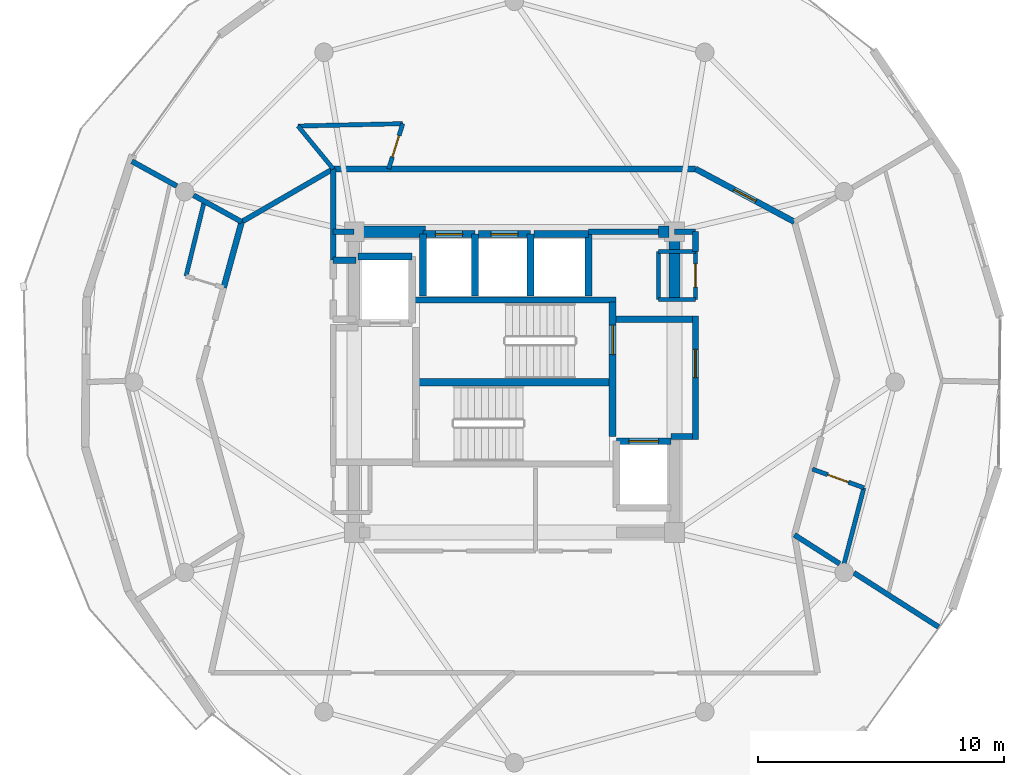
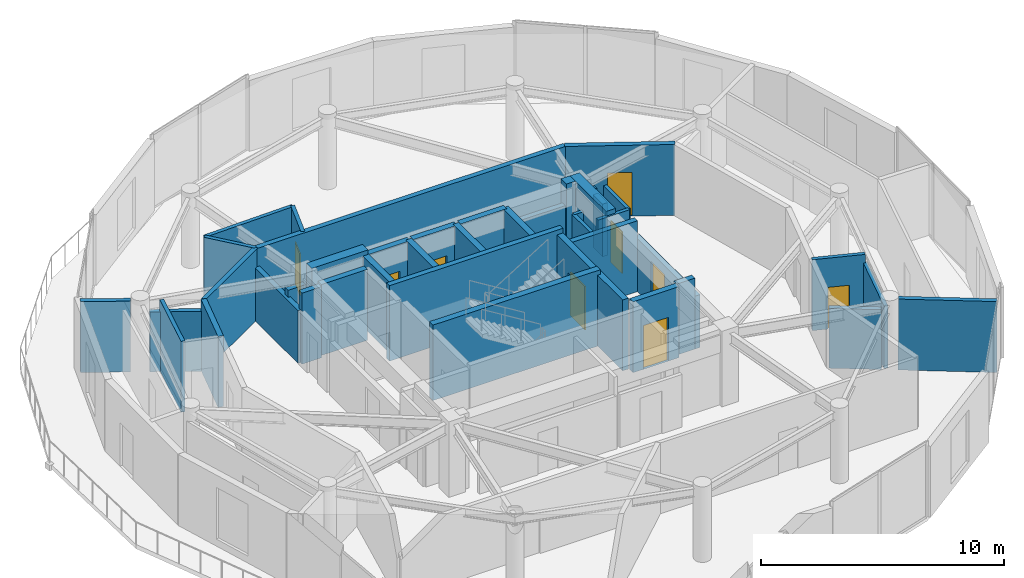
# One storey, part 16 of 19: 42 walls, 9 doors, 9 openings.
"""IFC4 building model written with IfcOpenShell, lengths in metres."""

from ifc_helpers import new_model, si_unit, direction, frame, frame_2d, origin, place, context, subcontext, project, spatial, rectangle, extrude, material, layer, layer_set, type_object, element, fill, save


model = new_model("IFC4")

# Units and contexts
model_context = context("Model", 3, precision=1e-05, world=origin(), true_north=direction((0.0, 1.0)))
body_context = subcontext(model_context, "Body", "Model", "MODEL_VIEW")
ifc_project = project(units=[si_unit("LENGTHUNIT", "METRE"), si_unit("AREAUNIT", "SQUARE_METRE"), si_unit("VOLUMEUNIT", "CUBIC_METRE"), si_unit("PLANEANGLEUNIT", "RADIAN"), si_unit("MASSUNIT", "GRAM", prefix="KILO")], contexts=[model_context])

# Site, building, storey
site_placement = place(None, origin())
site = spatial("IfcSite", under=ifc_project, at=site_placement, CompositionType="ELEMENT")
building_placement = place(site_placement, origin())
building = spatial("IfcBuilding", under=site, at=building_placement, Name="Solvirekh Grand Hotel", CompositionType="ELEMENT")
storey_placement = place(building_placement, frame((0.0, 0.0, 254.39990234375)))
storey = spatial("IfcBuildingStorey", under=building, at=storey_placement, Name="L66", CompositionType="ELEMENT", Elevation=254.39990234375)

# Wall
ifc_material_1 = material(Name="Concrete C50/60", Category="concrete")
ifc_layer_1 = layer(ifc_material_1, 0.35009765625)
ifc_layer_set_1 = layer_set([ifc_layer_1], Name="Concrete C50/60")
wall_type_1 = type_object("IfcWallType", Name="CoreDivWall_RC350", PredefinedType="SOLIDWALL", material=ifc_layer_set_1)
wall_1_placement = place(storey_placement, frame((-4.1298828125, 3.324951171875, 0.0), z_axis=(0.0, 0.0, 1.0), x_axis=(1.0, 0.0, 0.0)))
element("IfcWall", 1, at=wall_1_placement, inside=storey, type_object=wall_type_1, Name="L66 core stair box wall ST-N", PredefinedType="SOLIDWALL", context=body_context, shape_type="SweptSolid", body=[
    extrude(rectangle(XDim=8.259765625, YDim=0.25, at=frame_2d((4.1298828125, 0.0))), origin(), (0.0, 0.0, 1.0), 3.800048828125),
])

# Wall, opening, door
ifc_material_2 = material(Name="Concrete C40/50", Category="concrete")
ifc_layer_2 = layer(ifc_material_2, 0.280029296875)
ifc_layer_set_2 = layer_set([ifc_layer_2], Name="Concrete C40/50")
wall_type_2 = type_object("IfcWallType", Name="CoreShaftWall_RC280", PredefinedType="SOLIDWALL", material=ifc_layer_set_2)
wall_2_placement = place(storey_placement, frame((-1.60009765625, 6.0, 0.0), z_axis=(0.0, 0.0, 1.0), x_axis=(-1.0, 0.0, 0.0)))
wall_2 = element("IfcWall", 2, at=wall_2_placement, inside=storey, type_object=wall_type_2, Name="L66 HP-1 hoistway N wall", PredefinedType="SOLIDWALL", context=body_context, shape_type="SweptSolid", body=[
    extrude(rectangle(XDim=2.099853515625, YDim=0.280029296875, at=frame_2d((1.0498046875, 0.0))), origin(), (0.0, 0.0, 1.0), 3.570068359375),
])
opening_1_placement = place(wall_2_placement, frame((0.5, 0.0, 0.0)))
opening_1 = element("IfcOpeningElement", 3, at=opening_1_placement, cuts=wall_2, Name="Opening LD01", PredefinedType="OPENING", context=body_context, shape_type="SweptSolid", body=[
    extrude(rectangle(XDim=1.10009765625, YDim=2.199951171875, at=frame_2d((0.550048828125, 1.10009765625))), frame((0.0, 0.14990234375, 0.0), z_axis=(0.0, -1.0, 0.0), x_axis=(1.0, 0.0, 0.0)), (0.0, 0.0, 1.0), 0.300048828125),
])
ifc_material_3 = material(Name="Fire-Rated Steel Door Assembly", Category="steel")
door_type_1 = type_object("IfcDoorType", Name="Door_LiftLanding_1100X2200", OperationType="SLIDING_TO_LEFT", PredefinedType="DOOR", material=ifc_material_3)
door_1_placement = place(opening_1_placement, origin())
door_1 = element("IfcDoor", 4, at=door_1_placement, inside=storey, type_object=door_type_1, Name="L66 HP-1 sliding lift landing door", OperationType="SLIDING_TO_LEFT", OverallHeight=2.199951171875, OverallWidth=1.10009765625, PredefinedType="DOOR", context=body_context, shape_type="SweptSolid", body=[
    extrude(rectangle(XDim=1.10009765625, YDim=2.199951171875, at=frame_2d((0.550048828125, 1.10009765625))), frame((0.0, 0.02490234375, 0.0), z_axis=(0.0, -1.0, 0.0), x_axis=(1.0, 0.0, 0.0)), (0.0, 0.0, 1.0), 0.050048828125),
])
fill(opening_1, door_1)

# Walls
for number, where, z_axis, x_axis, name in (
    (5, (-3.699951171875, 6.0, 0.0), (0.0, 0.0, 1.0), (0.0, -1.0, 0.0), "L66 HP-1 hoistway W wall"),
    (6, (-1.60009765625, 3.5, 0.0), (0.0, 0.0, 1.0), (0.0, 1.0, 0.0), "L66 HP-1 hoistway E wall"),
):
    element("IfcWall", number, at=place(storey_placement, frame(where, z_axis=z_axis, x_axis=x_axis)), inside=storey, type_object=wall_type_2, Name=name, PredefinedType="SOLIDWALL", context=body_context, shape_type="SweptSolid", body=[
        extrude(rectangle(XDim=2.5, YDim=0.280029296875, at=frame_2d((1.25, 0.0))), origin(), (0.0, 0.0, 1.0), 3.570068359375),
    ])

# Wall, opening, door
wall_3_placement = place(storey_placement, frame((0.64990234375, 6.0, 0.0), z_axis=(0.0, 0.0, 1.0), x_axis=(-1.0, 0.0, 0.0)))
wall_3 = element("IfcWall", 7, at=wall_3_placement, inside=storey, type_object=wall_type_2, Name="L66 HP-2 hoistway N wall", PredefinedType="SOLIDWALL", context=body_context, shape_type="SweptSolid", body=[
    extrude(rectangle(XDim=2.099853515625, YDim=0.280029296875, at=frame_2d((1.0498046875, 0.0))), origin(), (0.0, 0.0, 1.0), 3.570068359375),
])
opening_2_placement = place(wall_3_placement, frame((0.5, 0.0, 0.0)))
opening_2 = element("IfcOpeningElement", 8, at=opening_2_placement, cuts=wall_3, Name="Opening LD01", PredefinedType="OPENING", context=body_context, shape_type="SweptSolid", body=[
    extrude(rectangle(XDim=1.10009765625, YDim=2.199951171875, at=frame_2d((0.550048828125, 1.10009765625))), frame((0.0, 0.14990234375, 0.0), z_axis=(0.0, -1.0, 0.0), x_axis=(1.0, 0.0, 0.0)), (0.0, 0.0, 1.0), 0.300048828125),
])
door_2_placement = place(opening_2_placement, origin())
door_2 = element("IfcDoor", 9, at=door_2_placement, inside=storey, type_object=door_type_1, Name="L66 HP-2 sliding lift landing door", OperationType="SLIDING_TO_LEFT", OverallHeight=2.199951171875, OverallWidth=1.10009765625, PredefinedType="DOOR", context=body_context, shape_type="SweptSolid", body=[
    extrude(rectangle(XDim=1.10009765625, YDim=2.199951171875, at=frame_2d((0.550048828125, 1.10009765625))), frame((0.0, 0.02490234375, 0.0), z_axis=(0.0, -1.0, 0.0), x_axis=(1.0, 0.0, 0.0)), (0.0, 0.0, 1.0), 0.050048828125),
])
fill(opening_2, door_2)

# Walls
wall_4_placement = place(storey_placement, frame((0.64990234375, 3.5, 0.0), z_axis=(0.0, 0.0, 1.0), x_axis=(0.0, 1.0, 0.0)))
element("IfcWall", 10, at=wall_4_placement, inside=storey, type_object=wall_type_2, Name="L66 HP-2 hoistway E wall", PredefinedType="SOLIDWALL", context=body_context, shape_type="SweptSolid", body=[
    extrude(rectangle(XDim=2.5, YDim=0.280029296875, at=frame_2d((1.25, 0.0))), origin(), (0.0, 0.0, 1.0), 3.570068359375),
])
wall_5_placement = place(storey_placement, frame((3.0, 6.0, 0.0), z_axis=(0.0, 0.0, 1.0), x_axis=(-1.0, 0.0, 0.0)))
element("IfcWall", 11, at=wall_5_placement, inside=storey, type_object=wall_type_2, Name="L66 EX-1 hoistway N wall", PredefinedType="SOLIDWALL", context=body_context, shape_type="SweptSolid", body=[
    extrude(rectangle(XDim=2.199951171875, YDim=0.280029296875, at=frame_2d((1.10009765625, 0.0))), origin(), (0.0, 0.0, 1.0), 3.570068359375),
])
wall_6_placement = place(storey_placement, frame((3.0, 3.5, 0.0), z_axis=(0.0, 0.0, 1.0), x_axis=(0.0, 1.0, 0.0)))
element("IfcWall", 12, at=wall_6_placement, inside=storey, type_object=wall_type_2, Name="L66 EX-1 hoistway E wall", PredefinedType="SOLIDWALL", context=body_context, shape_type="SweptSolid", body=[
    extrude(rectangle(XDim=2.5, YDim=0.280029296875, at=frame_2d((1.25, 0.0))), origin(), (0.0, 0.0, 1.0), 3.570068359375),
])
wall_7_placement = place(storey_placement, frame((-4.14990234375, 5.10009765625, 0.0), z_axis=(0.0, 0.0, 1.0), x_axis=(-1.0, 0.0, 0.0)))
element("IfcWall", 13, at=wall_7_placement, inside=storey, type_object=wall_type_2, Name="L66 FL-1 hoistway N wall", PredefinedType="SOLIDWALL", context=body_context, shape_type="SweptSolid", body=[
    extrude(rectangle(XDim=2.2001953125, YDim=0.280029296875, at=frame_2d((1.10009765625, 0.0))), origin(), (0.0, 0.0, 1.0), 3.570068359375),
])

# Wall, opening, door
wall_8_placement = place(storey_placement, frame((6.35009765625, -2.39990234375, 0.0), z_axis=(0.0, 0.0, 1.0), x_axis=(-1.0, 0.0, 0.0)))
wall_8 = element("IfcWall", 14, at=wall_8_placement, inside=storey, type_object=wall_type_2, Name="L66 FL-2 hoistway N wall", PredefinedType="SOLIDWALL", context=body_context, shape_type="SweptSolid", body=[
    extrude(rectangle(XDim=2.2001953125, YDim=0.280029296875, at=frame_2d((1.10009765625, 0.0))), origin(), (0.0, 0.0, 1.0), 3.570068359375),
])
opening_3_placement = place(wall_8_placement, frame((0.5, 0.0, 0.0)))
opening_3 = element("IfcOpeningElement", 15, at=opening_3_placement, cuts=wall_8, Name="Opening LD02", PredefinedType="OPENING", context=body_context, shape_type="SweptSolid", body=[
    extrude(rectangle(XDim=1.199951171875, YDim=2.199951171875, at=frame_2d((0.60009765625, 1.10009765625))), frame((0.0, 0.14990234375, 0.0), z_axis=(0.0, -1.0, 0.0), x_axis=(1.0, 0.0, 0.0)), (0.0, 0.0, 1.0), 0.300048828125),
])
door_type_2 = type_object("IfcDoorType", Name="Door_LiftFF_1200X2200", OperationType="SLIDING_TO_LEFT", PredefinedType="DOOR", material=ifc_material_3)
door_3_placement = place(opening_3_placement, origin())
door_3 = element("IfcDoor", 16, at=door_3_placement, inside=storey, type_object=door_type_2, Name="L66 FL-2 sliding lift landing door", OperationType="SLIDING_TO_LEFT", OverallHeight=2.199951171875, OverallWidth=1.199951171875, PredefinedType="DOOR", context=body_context, shape_type="SweptSolid", body=[
    extrude(rectangle(XDim=1.199951171875, YDim=2.199951171875, at=frame_2d((0.60009765625, 1.10009765625))), frame((0.0, 0.02490234375, 0.0), z_axis=(0.0, -1.0, 0.0), x_axis=(1.0, 0.0, 0.0)), (0.0, 0.0, 1.0), 0.050048828125),
])
fill(opening_3, door_3)

wall_9_placement = place(storey_placement, frame((3.989990234375, -2.2099609375, 0.0), z_axis=(0.0, 0.0, 1.0), x_axis=(0.0, 1.0, 0.0)))
wall_9 = element("IfcWall", 17, at=wall_9_placement, inside=storey, type_object=wall_type_2, Name="L66 east stair landing enclosure wall", PredefinedType="SOLIDWALL", context=body_context, shape_type="SweptSolid", body=[
    extrude(rectangle(XDim=5.4599609375, YDim=0.280029296875, at=frame_2d((2.72998046875, 0.0))), origin(), (0.0, 0.0, 1.0), 3.570068359375),
])
opening_4_placement = place(wall_9_placement, frame((3.322998046875, 0.0, 0.0)))
opening_4 = element("IfcOpeningElement", 18, at=opening_4_placement, cuts=wall_9, Name="Opening D05", PredefinedType="OPENING", context=body_context, shape_type="SweptSolid", body=[
    extrude(rectangle(XDim=1.199951171875, YDim=2.199951171875, at=frame_2d((0.60009765625, 1.10009765625))), frame((0.0, 0.14990234375, 0.0), z_axis=(0.0, -1.0, 0.0), x_axis=(1.0, 0.0, 0.0)), (0.0, 0.0, 1.0), 0.300048828125),
])
door_type_3 = type_object("IfcDoorType", Name="Door_StairCore_1200X2200", OperationType="NOTDEFINED", PredefinedType="DOOR", material=ifc_material_3)
door_4_placement = place(opening_4_placement, origin())
door_4 = element("IfcDoor", 19, at=door_4_placement, inside=storey, type_object=door_type_3, Name="L66 exit stair ST-2 fire door", OperationType="SINGLE_SWING_RIGHT", OverallHeight=2.199951171875, OverallWidth=1.199951171875, PredefinedType="DOOR", context=body_context, shape_type="SweptSolid", body=[
    extrude(rectangle(XDim=1.199951171875, YDim=2.199951171875, at=frame_2d((0.60009765625, 1.10009765625))), frame((0.0, 0.02490234375, 0.0), z_axis=(0.0, -1.0, 0.0), x_axis=(1.0, 0.0, 0.0)), (0.0, 0.0, 1.0), 0.050048828125),
])
fill(opening_4, door_4)

# Walls
ifc_layer_3 = layer(ifc_material_1, 0.449951171875)
ifc_layer_set_3 = layer_set([ifc_layer_3], Name="Concrete C50/60")
wall_type_3 = type_object("IfcWallType", Name="CoreWall_RC450", PredefinedType="SHEAR", material=ifc_layer_set_3)
wall_10_placement = place(storey_placement, frame((-3.989990234375, 0.0, 0.0), z_axis=(0.0, 0.0, 1.0), x_axis=(1.0, 0.0, 0.0)))
element("IfcWall", 20, at=wall_10_placement, inside=storey, type_object=wall_type_3, Name="L66 central stair-spine shear wall", PredefinedType="SHEAR", context=body_context, shape_type="SweptSolid", body=[
    extrude(rectangle(XDim=7.97998046875, YDim=0.300048828125, at=frame_2d((3.989990234375, 0.0))), origin(), (0.0, 0.0, 1.0), 3.800048828125),
])
wall_11_placement = place(storey_placement, frame((-6.27490234375, 6.10009765625, 0.0), z_axis=(0.0, 0.0, 1.0), x_axis=(1.0, 0.0, 0.0)))
element("IfcWall", 21, at=wall_11_placement, inside=storey, type_object=wall_type_3, Name="L66 core corner shear wall NW-N", PredefinedType="SHEAR", context=body_context, shape_type="SweptSolid", body=[
    extrude(rectangle(XDim=2.6748046875, YDim=0.449951171875, at=frame_2d((1.33740234375, 0.0))), origin(), (0.0, 0.0, 1.0), 3.800048828125),
])
wall_12_placement = place(storey_placement, frame((5.85009765625, 6.10009765625, 0.0), z_axis=(0.0, 0.0, 1.0), x_axis=(1.0, 0.0, 0.0)))
element("IfcWall", 22, at=wall_12_placement, inside=storey, type_object=wall_type_3, Name="L66 core corner shear wall NE-N", PredefinedType="SHEAR", context=body_context, shape_type="SweptSolid", body=[
    extrude(rectangle(XDim=0.4248046875, YDim=0.449951171875, at=frame_2d((0.21240234375, 0.0))), origin(), (0.0, 0.0, 1.0), 3.800048828125),
])
wall_13_placement = place(storey_placement, frame((6.5, 3.35009765625, 0.0), z_axis=(0.0, 0.0, 1.0), x_axis=(0.0, 1.0, 0.0)))
element("IfcWall", 23, at=wall_13_placement, inside=storey, type_object=wall_type_3, Name="L66 core corner shear wall EN-E", PredefinedType="SHEAR", context=body_context, shape_type="SweptSolid", body=[
    extrude(rectangle(XDim=2.974853515625, YDim=0.449951171875, at=frame_2d((1.4873046875, 0.0))), origin(), (0.0, 0.0, 1.0), 3.800048828125),
])
ifc_material_4 = material(Name="Acoustic Gypsum Partition Assembly")
ifc_layer_4 = layer(ifc_material_4, 0.1650390625)
ifc_layer_set_4 = layer_set([ifc_layer_4], Name="Acoustic Gypsum Partition Assembly")
wall_type_4 = type_object("IfcWallType", Name="Part_BOH_165", PredefinedType="PARTITIONING", material=ifc_layer_set_4)
wall_14_placement = place(storey_placement, frame((5.85009765625, 3.35009765625, 0.0), z_axis=(0.0, 0.0, 1.0), x_axis=(1.0, 0.0, 0.0)))
element("IfcWall", 24, at=wall_14_placement, inside=storey, type_object=wall_type_4, Name="L66 L66 Core Housekeeping Room wall 1", PredefinedType="PARTITIONING", context=body_context, shape_type="SweptSolid", body=[
    extrude(rectangle(XDim=1.5, YDim=0.1650390625, at=frame_2d((0.75, 0.0))), origin(), (0.0, 0.0, 1.0), 3.570068359375),
])

# Wall, opening, door
wall_15_placement = place(storey_placement, frame((7.35009765625, 3.35009765625, 0.0), z_axis=(0.0, 0.0, 1.0), x_axis=(0.0, 1.0, 0.0)))
wall_15 = element("IfcWall", 25, at=wall_15_placement, inside=storey, type_object=wall_type_4, Name="L66 L66 Core Housekeeping Room wall 2", PredefinedType="PARTITIONING", context=body_context, shape_type="SweptSolid", body=[
    extrude(rectangle(XDim=1.949951171875, YDim=0.1650390625, at=frame_2d((0.97509765625, 0.0))), origin(), (0.0, 0.0, 1.0), 3.570068359375),
])
opening_5_placement = place(wall_15_placement, frame((0.5, 0.0, 0.0)))
opening_5 = element("IfcOpeningElement", 26, at=opening_5_placement, cuts=wall_15, Name="Opening D10", PredefinedType="OPENING", context=body_context, shape_type="SweptSolid", body=[
    extrude(rectangle(XDim=0.949951171875, YDim=2.10009765625, at=frame_2d((0.47509765625, 1.050048828125))), frame((0.0, 0.092529296875, 0.0), z_axis=(0.0, -1.0, 0.0), x_axis=(1.0, 0.0, 0.0)), (0.0, 0.0, 1.0), 0.18505859375),
])
ifc_material_5 = material(Name="Anodized Bronze Aluminium 6063-T6", Category="aluminium")
door_type_4 = type_object("IfcDoorType", Name="Door_RoomInt_950X2100", OperationType="NOTDEFINED", PredefinedType="DOOR", material=ifc_material_5)
door_5_placement = place(opening_5_placement, origin())
door_5 = element("IfcDoor", 27, at=door_5_placement, inside=storey, type_object=door_type_4, Name="L66 L66 Core Housekeeping Room door", OperationType="SINGLE_SWING_LEFT", OverallHeight=2.10009765625, OverallWidth=0.949951171875, PredefinedType="DOOR", context=body_context, shape_type="SweptSolid", body=[
    extrude(rectangle(XDim=0.949951171875, YDim=2.10009765625, at=frame_2d((0.47509765625, 1.050048828125))), frame((0.0, 0.02490234375, 0.0), z_axis=(0.0, -1.0, 0.0), x_axis=(1.0, 0.0, 0.0)), (0.0, 0.0, 1.0), 0.050048828125),
])
fill(opening_5, door_5)

# Walls
wall_16_placement = place(storey_placement, frame((7.35009765625, 5.300048828125, 0.0), z_axis=(0.0, 0.0, 1.0), x_axis=(-1.0, 0.0, 0.0)))
element("IfcWall", 28, at=wall_16_placement, inside=storey, type_object=wall_type_4, Name="L66 L66 Core Housekeeping Room wall 3", PredefinedType="PARTITIONING", context=body_context, shape_type="SweptSolid", body=[
    extrude(rectangle(XDim=1.5, YDim=0.1650390625, at=frame_2d((0.75, 0.0))), origin(), (0.0, 0.0, 1.0), 2.655029296875),
])
wall_17_placement = place(storey_placement, frame((5.85009765625, 5.300048828125, 0.0), z_axis=(0.0, 0.0, 1.0), x_axis=(0.0, -1.0, 0.0)))
element("IfcWall", 29, at=wall_17_placement, inside=storey, type_object=wall_type_4, Name="L66 L66 Core Housekeeping Room wall 4", PredefinedType="PARTITIONING", context=body_context, shape_type="SweptSolid", body=[
    extrude(rectangle(XDim=1.949951171875, YDim=0.1650390625, at=frame_2d((0.97509765625, 0.0))), origin(), (0.0, 0.0, 1.0), 2.655029296875),
])

# Wall, opening, door
ifc_layer_5 = layer(ifc_material_4, 0.239990234375)
ifc_layer_set_5 = layer_set([ifc_layer_5], Name="Acoustic Gypsum Partition Assembly")
wall_type_5 = type_object("IfcWallType", Name="Part_Corridor_240", PredefinedType="PARTITIONING", material=ifc_layer_set_5)
wall_18_placement = place(storey_placement, frame((7.35009765625, -2.340087890625, 0.0), z_axis=(0.0, 0.0, 1.0), x_axis=(0.0, 1.0, 0.0)))
wall_18 = element("IfcWall", 30, at=wall_18_placement, inside=storey, type_object=wall_type_5, Name="L66 east firefighting lobby smoke screen wall", PredefinedType="PARTITIONING", context=body_context, shape_type="SweptSolid", body=[
    extrude(rectangle(XDim=5.02001953125, YDim=0.239990234375, at=frame_2d((2.510009765625, 0.0))), origin(), (0.0, 0.0, 1.0), 2.655029296875),
])
opening_6_placement = place(wall_18_placement, frame((2.514892578125, 0.0, 0.0)))
opening_6 = element("IfcOpeningElement", 31, at=opening_6_placement, cuts=wall_18, Name="Opening D06", PredefinedType="OPENING", context=body_context, shape_type="SweptSolid", body=[
    extrude(rectangle(XDim=1.14990234375, YDim=2.199951171875, at=frame_2d((0.574951171875, 1.10009765625))), frame((0.0, 0.1298828125, 0.0), z_axis=(0.0, -1.0, 0.0), x_axis=(1.0, 0.0, 0.0)), (0.0, 0.0, 1.0), 0.260009765625),
])
door_type_5 = type_object("IfcDoorType", Name="Door_FFLobby_1150X2200", OperationType="NOTDEFINED", PredefinedType="DOOR", material=ifc_material_3)
door_6_placement = place(opening_6_placement, origin())
door_6 = element("IfcDoor", 32, at=door_6_placement, inside=storey, type_object=door_type_5, Name="L66 east firefighting lobby smoke door", OperationType="SINGLE_SWING_RIGHT", OverallHeight=2.199951171875, OverallWidth=1.14990234375, PredefinedType="DOOR", context=body_context, shape_type="SweptSolid", body=[
    extrude(rectangle(XDim=1.14990234375, YDim=2.199951171875, at=frame_2d((0.574951171875, 1.10009765625))), frame((0.0, 0.02490234375, 0.0), z_axis=(0.0, -1.0, 0.0), x_axis=(1.0, 0.0, 0.0)), (0.0, 0.0, 1.0), 0.050048828125),
])
fill(opening_6, door_6)

# Walls
wall_19_placement = place(storey_placement, frame((-7.35009765625, 8.64990234375, 0.0), z_axis=(0.0, 0.0, 1.0), x_axis=(1.0, 0.0, 0.0)))
element("IfcWall", 33, at=wall_19_placement, inside=storey, type_object=wall_type_5, Name="L66 north lift lobby enclosure wall", PredefinedType="PARTITIONING", context=body_context, shape_type="SweptSolid", body=[
    extrude(rectangle(XDim=14.7001953125, YDim=0.239990234375, at=frame_2d((7.35009765625, 0.0))), origin(), (0.0, 0.0, 1.0), 3.570068359375),
])
wall_20_placement = place(storey_placement, frame((3.0, 6.10009765625, 0.0), z_axis=(0.0, 0.0, 1.0), x_axis=(1.0, 0.0, 0.0)))
element("IfcWall", 34, at=wall_20_placement, inside=storey, type_object=wall_type_5, Name="L66 north core shaft infill wall", PredefinedType="PARTITIONING", context=body_context, shape_type="SweptSolid", body=[
    extrude(rectangle(XDim=2.85009765625, YDim=0.239990234375, at=frame_2d((1.425048828125, 0.0))), origin(), (0.0, 0.0, 1.0), 2.655029296875),
])
wall_21_placement = place(storey_placement, frame((7.35009765625, 5.300048828125, 0.0), z_axis=(0.0, 0.0, 1.0), x_axis=(0.0, 1.0, 0.0)))
element("IfcWall", 35, at=wall_21_placement, inside=storey, type_object=wall_type_5, Name="L66 NE core cheek closure wall", PredefinedType="PARTITIONING", context=body_context, shape_type="SweptSolid", body=[
    extrude(rectangle(XDim=0.800048828125, YDim=0.239990234375, at=frame_2d((0.39990234375, 0.0))), origin(), (0.0, 0.0, 1.0), 2.655029296875),
])
wall_22_placement = place(storey_placement, frame((6.5, 6.10009765625, 0.0), z_axis=(0.0, 0.0, 1.0), x_axis=(1.0, 0.0, 0.0)))
element("IfcWall", 36, at=wall_22_placement, inside=storey, type_object=wall_type_5, Name="L66 NE core corner tie wall", PredefinedType="PARTITIONING", context=body_context, shape_type="SweptSolid", body=[
    extrude(rectangle(XDim=0.85009765625, YDim=0.239990234375, at=frame_2d((0.425048828125, 0.0))), origin(), (0.0, 0.0, 1.0), 3.010986328125),
])
wall_23_placement = place(storey_placement, frame((-7.35009765625, 4.949951171875, 0.0), z_axis=(0.0, 0.0, 1.0), x_axis=(0.0, 1.0, 0.0)))
element("IfcWall", 37, at=wall_23_placement, inside=storey, type_object=wall_type_5, Name="L66 north lift lobby west wall", PredefinedType="PARTITIONING", context=body_context, shape_type="SweptSolid", body=[
    extrude(rectangle(XDim=3.699951171875, YDim=0.239990234375, at=frame_2d((1.85009765625, 0.0))), origin(), (0.0, 0.0, 1.0), 2.655029296875),
])
wall_24_placement = place(storey_placement, frame((-7.35009765625, 6.10009765625, 0.0), z_axis=(0.0, 0.0, 1.0), x_axis=(1.0, 0.0, 0.0)))
element("IfcWall", 38, at=wall_24_placement, inside=storey, type_object=wall_type_5, Name="L66 NW core corner closure wall", PredefinedType="PARTITIONING", context=body_context, shape_type="SweptSolid", body=[
    extrude(rectangle(XDim=0.85009765625, YDim=0.239990234375, at=frame_2d((0.425048828125, 0.0))), origin(), (0.0, 0.0, 1.0), 3.010986328125),
])

# Wall, opening, door
wall_25_placement = place(storey_placement, frame((7.35009765625, 8.64990234375, 0.0), z_axis=(0.0, 0.0, 1.0), x_axis=(0.881565227264, -0.472062231151, 0.0)))
wall_25 = element("IfcWall", 39, at=wall_25_placement, inside=storey, type_object=wall_type_5, Name="L66 Panorama Suite 6801 entrance wall", PredefinedType="PARTITIONING", context=body_context, shape_type="SweptSolid", body=[
    extrude(rectangle(XDim=4.55419921875, YDim=0.239990234375, at=frame_2d((2.277099609375, 0.0))), origin(), (0.0, 0.0, 1.0), 3.570068359375),
])
opening_7_placement = place(wall_25_placement, frame((1.777099609375, 0.0, 0.0)))
opening_7 = element("IfcOpeningElement", 40, at=opening_7_placement, cuts=wall_25, Name="Opening D07", PredefinedType="OPENING", context=body_context, shape_type="SweptSolid", body=[
    extrude(rectangle(XDim=1.0, YDim=2.199951171875, at=frame_2d((0.5, 1.10009765625))), frame((0.0, 0.1298828125, 0.0), z_axis=(0.0, -1.0, 0.0), x_axis=(1.0, 0.0, 0.0)), (0.0, 0.0, 1.0), 0.260009765625),
])
door_type_6 = type_object("IfcDoorType", Name="Door_GuestEntry_1000X2200", OperationType="NOTDEFINED", PredefinedType="DOOR", material=ifc_material_3)
door_7_placement = place(opening_7_placement, origin())
door_7 = element("IfcDoor", 41, at=door_7_placement, inside=storey, type_object=door_type_6, Name="L66 Panorama Suite 6801 entrance door", OperationType="SINGLE_SWING_LEFT", OverallHeight=2.199951171875, OverallWidth=1.0, PredefinedType="DOOR", context=body_context, shape_type="SweptSolid", body=[
    extrude(rectangle(XDim=1.0, YDim=2.199951171875, at=frame_2d((0.5, 1.10009765625))), frame((0.0, 0.02490234375, 0.0), z_axis=(0.0, -1.0, 0.0), x_axis=(1.0, 0.0, 0.0)), (0.0, 0.0, 1.0), 0.050048828125),
])
fill(opening_7, door_7)

# Walls
wall_26_placement = place(storey_placement, frame((-11.06494140625, 6.5, 0.0), z_axis=(0.0, 0.0, 1.0), x_axis=(-0.263670269996, -0.964612869871, 0.0)))
element("IfcWall", 42, at=wall_26_placement, inside=storey, type_object=wall_type_5, Name="L66 En-suite Bathroom 6802 corridor backing wall", PredefinedType="PARTITIONING", context=body_context, shape_type="SweptSolid", body=[
    extrude(rectangle(XDim=2.764892578125, YDim=0.239990234375, at=frame_2d((1.38232421875, 0.0))), origin(), (0.0, 0.0, 1.0), 3.570068359375),
])
ifc_layer_6 = layer(ifc_material_4, 0.260009765625)
ifc_layer_set_6 = layer_set([ifc_layer_6], Name="Acoustic Gypsum Partition Assembly")
wall_type_6 = type_object("IfcWallType", Name="Part_LobbyFF_260", PredefinedType="PARTITIONING", material=ifc_layer_set_6)
wall_27_placement = place(storey_placement, frame((6.35009765625, -2.2099609375, 0.0), z_axis=(0.0, 0.0, 1.0), x_axis=(1.0, 0.0, 0.0)))
element("IfcWall", 43, at=wall_27_placement, inside=storey, type_object=wall_type_6, Name="L66 east firefighting lobby SE cheek", PredefinedType="PARTITIONING", context=body_context, shape_type="SweptSolid", body=[
    extrude(rectangle(XDim=0.875, YDim=0.260009765625, at=frame_2d((0.4375, 0.0))), origin(), (0.0, 0.0, 1.0), 3.570068359375),
])
wall_28_placement = place(storey_placement, frame((4.1298828125, 2.550048828125, 0.0), z_axis=(0.0, 0.0, 1.0), x_axis=(1.0, 0.0, 0.0)))
element("IfcWall", 44, at=wall_28_placement, inside=storey, type_object=wall_type_6, Name="L66 east firefighting lobby north partition", PredefinedType="PARTITIONING", context=body_context, shape_type="SweptSolid", body=[
    extrude(rectangle(XDim=3.09521484375, YDim=0.260009765625, at=frame_2d((1.547607421875, 0.0))), origin(), (0.0, 0.0, 1.0), 3.570068359375),
])
wall_29_placement = place(storey_placement, frame((-7.35009765625, 4.949951171875, 0.0), z_axis=(0.0, 0.0, 1.0), x_axis=(1.0, 0.0, 0.0)))
element("IfcWall", 45, at=wall_29_placement, inside=storey, type_object=wall_type_6, Name="L66 NW telecom metering cupboard north wall", PredefinedType="PARTITIONING", context=body_context, shape_type="SweptSolid", body=[
    extrude(rectangle(XDim=0.93017578125, YDim=0.260009765625, at=frame_2d((0.465087890625, 0.0))), origin(), (0.0, 0.0, 1.0), 3.570068359375),
])
ifc_layer_7 = layer(ifc_material_4, 0.2099609375)
ifc_layer_set_7 = layer_set([ifc_layer_7], Name="Acoustic Gypsum Partition Assembly")
wall_type_7 = type_object("IfcWallType", Name="Part_SuiteDemise_210", PredefinedType="PARTITIONING", material=ifc_layer_set_7)
wall_30_placement = place(storey_placement, frame((-11.06494140625, 6.5, 0.0), z_axis=(0.0, 0.0, 1.0), x_axis=(-0.875457695042, 0.483294759119, 0.0)))
element("IfcWall", 46, at=wall_30_placement, inside=storey, type_object=wall_type_7, Name="L66 suite radial wall 6 (A)", PredefinedType="PARTITIONING", context=body_context, shape_type="SweptSolid", body=[
    extrude(rectangle(XDim=2.226318359375, YDim=0.2099609375, at=frame_2d((1.11328125, 0.0))), origin(), (0.0, 0.0, 1.0), 3.010986328125),
])
wall_31_placement = place(storey_placement, frame((-13.700927734375, 7.955078125, 0.0), z_axis=(0.0, 0.0, 1.0), x_axis=(-0.875344799611, 0.483499205577, 0.0)))
element("IfcWall", 47, at=wall_31_placement, inside=storey, type_object=wall_type_7, Name="L66 suite radial wall 6 (B)", PredefinedType="PARTITIONING", context=body_context, shape_type="SweptSolid", body=[
    extrude(rectangle(XDim=2.080322265625, YDim=0.2099609375, at=frame_2d((1.0400390625, 0.0))), origin(), (0.0, 0.0, 1.0), 3.570068359375),
])
wall_32_placement = place(storey_placement, frame((11.364990234375, -6.199951171875, 0.0), z_axis=(0.0, 0.0, 1.0), x_axis=(0.842537994554, -0.538636916422, 0.0)))
element("IfcWall", 48, at=wall_32_placement, inside=storey, type_object=wall_type_7, Name="L66 suite radial wall 12 (A)", PredefinedType="PARTITIONING", context=body_context, shape_type="SweptSolid", body=[
    extrude(rectangle(XDim=2.177978515625, YDim=0.2099609375, at=frame_2d((1.0888671875, 0.0))), origin(), (0.0, 0.0, 1.0), 3.010986328125),
])
wall_33_placement = place(storey_placement, frame((13.77490234375, -7.739990234375, 0.0), z_axis=(0.0, 0.0, 1.0), x_axis=(0.842498543439, -0.538698621033, 0.0)))
element("IfcWall", 49, at=wall_33_placement, inside=storey, type_object=wall_type_7, Name="L66 suite radial wall 12 (B)", PredefinedType="PARTITIONING", context=body_context, shape_type="SweptSolid", body=[
    extrude(rectangle(XDim=4.078369140625, YDim=0.2099609375, at=frame_2d((2.0390625, 0.0))), origin(), (0.0, 0.0, 1.0), 3.570068359375),
])
wall_34_placement = place(storey_placement, frame((-11.06494140625, 6.5, 0.0), z_axis=(0.0, 0.0, 1.0), x_axis=(0.865506757898, 0.50089724698, 0.0)))
element("IfcWall", 50, at=wall_34_placement, inside=storey, type_object=wall_type_7, Name="L66 Panorama Suite 6801 dividing partition 1", PredefinedType="PARTITIONING", context=body_context, shape_type="SweptSolid", body=[
    extrude(rectangle(XDim=4.2919921875, YDim=0.2099609375, at=frame_2d((2.14599609375, 0.0))), origin(), (0.0, 0.0, 1.0), 3.570068359375),
])
ifc_layer_8 = layer(ifc_material_4, 0.175048828125)
ifc_layer_set_8 = layer_set([ifc_layer_8], Name="Acoustic Gypsum Partition Assembly")
wall_type_8 = type_object("IfcWallType", Name="Plumb_Ensuite_175", PredefinedType="PLUMBINGWALL", material=ifc_layer_set_8)
wall_35_placement = place(storey_placement, frame((-8.779052734375, 10.387939453125, 0.0), z_axis=(0.0, 0.0, 1.0), x_axis=(0.999745380364, 0.022564894009, 0.0)))
element("IfcWall", 51, at=wall_35_placement, inside=storey, type_object=wall_type_8, Name="L66 En-suite Bathroom 6801 outer plumbing wall", PredefinedType="PLUMBINGWALL", context=body_context, shape_type="SweptSolid", body=[
    extrude(rectangle(XDim=4.251953125, YDim=0.175048828125, at=frame_2d((2.1259765625, 0.0))), origin(), (0.0, 0.0, 1.0), 3.570068359375),
])
wall_36_placement = place(storey_placement, frame((-8.779052734375, 10.387939453125, 0.0), z_axis=(0.0, 0.0, 1.0), x_axis=(0.635079503828, -0.772446777337, 0.0)))
element("IfcWall", 52, at=wall_36_placement, inside=storey, type_object=wall_type_8, Name="L66 En-suite Bathroom 6801 side plumbing wall", PredefinedType="PLUMBINGWALL", context=body_context, shape_type="SweptSolid", body=[
    extrude(rectangle(XDim=2.25, YDim=0.175048828125, at=frame_2d((1.125, 0.0))), origin(), (0.0, 0.0, 1.0), 3.570068359375),
])

# Wall, opening, door
wall_37_placement = place(storey_placement, frame((-5.10009765625, 8.64990234375, 0.0), z_axis=(0.0, 0.0, 1.0), x_axis=(0.297753956274, 0.95464264598, 0.0)))
wall_37 = element("IfcWall", 53, at=wall_37_placement, inside=storey, type_object=wall_type_8, Name="L66 En-suite Bathroom 6801 entry plumbing wall", PredefinedType="PLUMBINGWALL", context=body_context, shape_type="SweptSolid", body=[
    extrude(rectangle(XDim=1.921142578125, YDim=0.175048828125, at=frame_2d((0.96044921875, 0.0))), origin(), (0.0, 0.0, 1.0), 3.570068359375),
])
opening_8_placement = place(wall_37_placement, frame((0.510986328125, 0.0, 0.0)))
opening_8 = element("IfcOpeningElement", 54, at=opening_8_placement, cuts=wall_37, Name="Opening D09", PredefinedType="OPENING", context=body_context, shape_type="SweptSolid", body=[
    extrude(rectangle(XDim=0.89990234375, YDim=2.10009765625, at=frame_2d((0.449951171875, 1.050048828125))), frame((0.0, 0.09765625, 0.0), z_axis=(0.0, -1.0, 0.0), x_axis=(1.0, 0.0, 0.0)), (0.0, 0.0, 1.0), 0.195068359375),
])
door_type_7 = type_object("IfcDoorType", Name="Door_Ensuite_900X2100", OperationType="NOTDEFINED", PredefinedType="DOOR", material=ifc_material_5)
door_8_placement = place(opening_8_placement, origin())
door_8 = element("IfcDoor", 55, at=door_8_placement, inside=storey, type_object=door_type_7, Name="L66 En-suite Bathroom 6801 door", OperationType="SINGLE_SWING_RIGHT", OverallHeight=2.10009765625, OverallWidth=0.89990234375, PredefinedType="DOOR", context=body_context, shape_type="SweptSolid", body=[
    extrude(rectangle(XDim=0.89990234375, YDim=2.10009765625, at=frame_2d((0.449951171875, 1.050048828125))), frame((0.0, 0.02490234375, 0.0), z_axis=(0.0, -1.0, 0.0), x_axis=(1.0, 0.0, 0.0)), (0.0, 0.0, 1.0), 0.050048828125),
])
fill(opening_8, door_8)

# Walls
wall_38_placement = place(storey_placement, frame((-12.580078125, 7.3369140625, 0.0), z_axis=(0.0, 0.0, 1.0), x_axis=(-0.237116037117, -0.971481335354, 0.0)))
element("IfcWall", 56, at=wall_38_placement, inside=storey, type_object=wall_type_8, Name="L66 En-suite Bathroom 6802 outer plumbing wall", PredefinedType="PLUMBINGWALL", context=body_context, shape_type="SweptSolid", body=[
    extrude(rectangle(XDim=3.129150390625, YDim=0.175048828125, at=frame_2d((1.564453125, 0.0))), origin(), (0.0, 0.0, 1.0), 3.570068359375),
])
wall_39_placement = place(storey_placement, frame((13.35302734375, -7.470947265625, 0.0), z_axis=(0.0, 0.0, 1.0), x_axis=(0.252225310896, 0.967668534439, 0.0)))
element("IfcWall", 57, at=wall_39_placement, inside=storey, type_object=wall_type_8, Name="L66 En-suite Bathroom 6803 outer plumbing wall", PredefinedType="PLUMBINGWALL", context=body_context, shape_type="SweptSolid", body=[
    extrude(rectangle(XDim=3.2861328125, YDim=0.175048828125, at=frame_2d((1.64306640625, 0.0))), origin(), (0.0, 0.0, 1.0), 3.13818359375),
])

# Wall, opening, door
wall_40_placement = place(storey_placement, frame((12.093994140625, -3.532958984375, 0.0), z_axis=(0.0, 0.0, 1.0), x_axis=(0.93996338917, -0.341275295062, 0.0)))
wall_40 = element("IfcWall", 58, at=wall_40_placement, inside=storey, type_object=wall_type_8, Name="L66 En-suite Bathroom 6803 entry plumbing wall", PredefinedType="PLUMBINGWALL", context=body_context, shape_type="SweptSolid", body=[
    extrude(rectangle(XDim=2.22119140625, YDim=0.175048828125, at=frame_2d((1.110595703125, 0.0))), origin(), (0.0, 0.0, 1.0), 3.570068359375),
])
opening_9_placement = place(wall_40_placement, frame((0.660888671875, 0.0, 0.0)))
opening_9 = element("IfcOpeningElement", 59, at=opening_9_placement, cuts=wall_40, Name="Opening D09", PredefinedType="OPENING", context=body_context, shape_type="SweptSolid", body=[
    extrude(rectangle(XDim=0.89990234375, YDim=2.10009765625, at=frame_2d((0.449951171875, 1.050048828125))), frame((0.0, 0.09765625, 0.0), z_axis=(0.0, -1.0, 0.0), x_axis=(1.0, 0.0, 0.0)), (0.0, 0.0, 1.0), 0.195068359375),
])
door_9_placement = place(opening_9_placement, origin())
door_9 = element("IfcDoor", 60, at=door_9_placement, inside=storey, type_object=door_type_7, Name="L66 En-suite Bathroom 6803 door", OperationType="SINGLE_SWING_RIGHT", OverallHeight=2.10009765625, OverallWidth=0.89990234375, PredefinedType="DOOR", context=body_context, shape_type="SweptSolid", body=[
    extrude(rectangle(XDim=0.89990234375, YDim=2.10009765625, at=frame_2d((0.449951171875, 1.050048828125))), frame((0.0, 0.02490234375, 0.0), z_axis=(0.0, -1.0, 0.0), x_axis=(1.0, 0.0, 0.0)), (0.0, 0.0, 1.0), 0.050048828125),
])
fill(opening_9, door_9)

save(model, "model.ifc")
